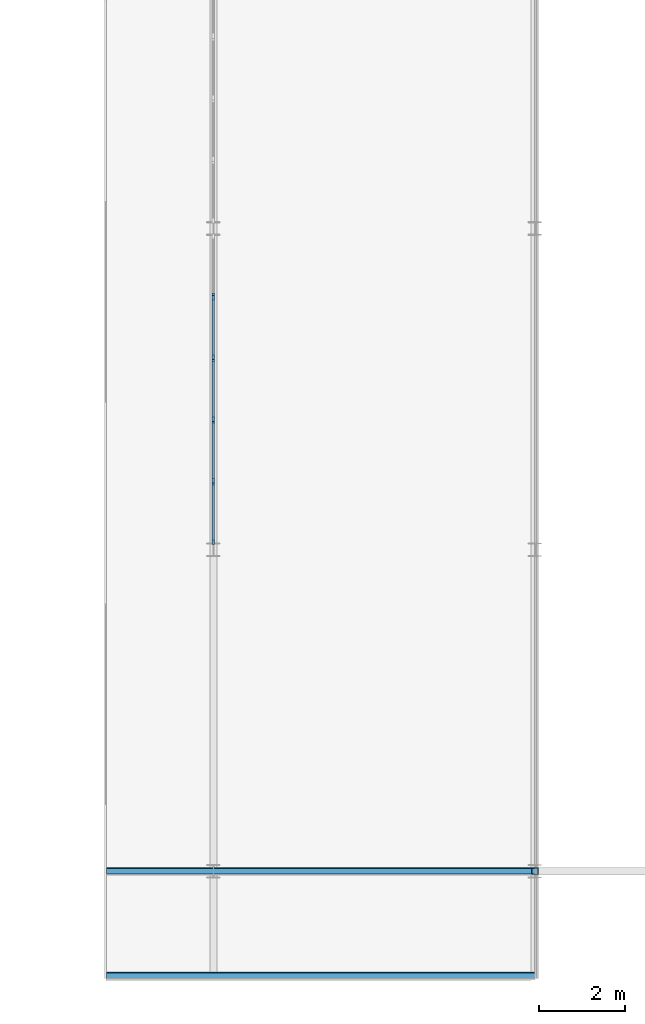
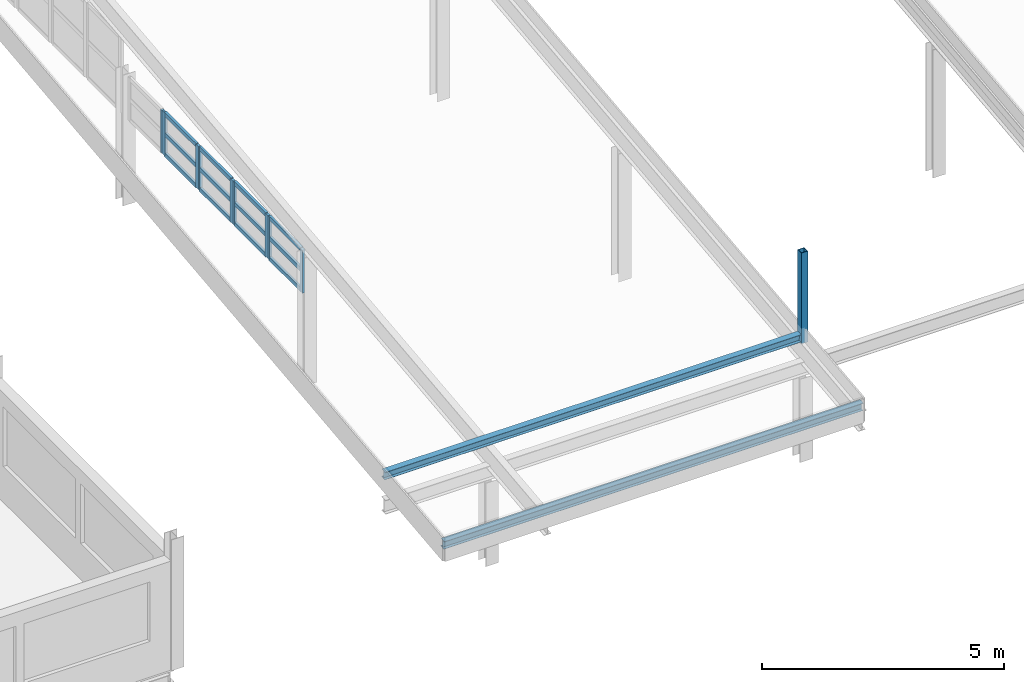
# One storey, part 32 of 199: 24 members, 5 elements without a shape of their own.
"""IFC4 building model written with IfcOpenShell, lengths in metres."""

from ifc_helpers import new_model, si_unit, direction, frame, origin, origin_2d, place, context, subcontext, project, spatial, rectangle, hollow_rectangle, i_section, extrude, material, material_profile, profile_set, type_object, element, aggregate, save


model = new_model("IFC4")

# Units and contexts
model_context = context("Model", 3, precision=1e-05, world=origin(), true_north=direction((0.0, 1.0)))
body_context = subcontext(model_context, "Body", "Model", "MODEL_VIEW")
ifc_project = project(units=[si_unit("LENGTHUNIT", "METRE"), si_unit("AREAUNIT", "SQUARE_METRE"), si_unit("VOLUMEUNIT", "CUBIC_METRE"), si_unit("PLANEANGLEUNIT", "RADIAN"), si_unit("MASSUNIT", "GRAM", prefix="KILO")], contexts=[model_context])

# Site, building, storey
site_placement = place(None, origin())
site = spatial("IfcSite", under=ifc_project, at=site_placement, CompositionType="ELEMENT")
building_placement = place(site_placement, origin())
building = spatial("IfcBuilding", under=site, at=building_placement, Name="Parallax Yard Mobility Hub", CompositionType="ELEMENT")
storey_placement = place(building_placement, frame((0.0, 0.0, 9.89990234375)))
storey = spatial("IfcBuildingStorey", under=building, at=storey_placement, Name="L03", CompositionType="ELEMENT", Elevation=9.89990234375)

# Member
ifc_material_1 = material(Name="Steel ASTM A500 Gr C", Category="steel")
ifc_material_profile_1 = material_profile(ifc_material_1, hollow_rectangle(XDim=0.15234375, YDim=0.15234375, WallThickness=0.009521484375, at=origin_2d()), Name="HSS152x152x9.5")
ifc_profile_set_1 = profile_set([ifc_material_profile_1], Name="Steel ASTM A500 Gr C")
member_type_1 = type_object("IfcMemberType", Name="Monitor post HSS152x152x9.5", PredefinedType="POST", material=ifc_profile_set_1)
member_1_placement = place(storey_placement, frame((157.5, 7.5, 2.91748046875), z_axis=(0.0, 0.0, 1.0), x_axis=(1.0, 0.0, 0.0)))
element("IfcMember", 1, at=member_1_placement, inside=storey, type_object=member_type_1, Name="Monitor post at x 157.5 y 7.5", PredefinedType="POST", context=body_context, shape_type="SweptSolid", body=[
    extrude(hollow_rectangle(XDim=0.15234375, YDim=0.15234375, WallThickness=0.009521484375, at=origin_2d()), origin(), (0.0, 0.0, 1.0), 2.295166015625),
])

# Curtain wall, members
ifc_material_2 = material(Name="Thermally broken aluminium curtain wall system", Category="aluminium")
curtain_wall_type = type_object("IfcCurtainWallType", Name="Clerestory glazing run 60 x 120 frame", PredefinedType="NOTDEFINED", material=ifc_material_2)
curtain_wall_1_placement = place(storey_placement, origin())
curtain_wall_1 = element("IfcCurtainWall", 2, at=curtain_wall_1_placement, inside=storey, type_object=curtain_wall_type, Name="Clerestory glazing run Bicycle and shared-mobility hall west bay 2 level L02", PredefinedType="NOTDEFINED")
ifc_material_3 = material(Name="Extruded aluminium", Category="aluminium")
ifc_material_profile_2 = material_profile(ifc_material_3, rectangle(XDim=0.06005859375, YDim=0.1201171875, at=origin_2d()), Name="Mullion 60 x 120")
ifc_profile_set_2 = profile_set([ifc_material_profile_2], Name="Extruded aluminium")
member_type_2 = type_object("IfcMemberType", Name="Mullion 60 x 120", PredefinedType="MULLION", material=ifc_profile_set_2)
member_2_placement = place(storey_placement, frame((150.0, 15.18359375, 2.140625), z_axis=(0.0, 0.0, 1.0), x_axis=(-1.0, 0.0, 0.0)))
member_2 = element("IfcMember", 3, at=member_2_placement, type_object=member_type_2, Name="CW4 mullion 1", PredefinedType="MULLION", context=body_context, shape_type="SweptSolid", body=[
    extrude(rectangle(XDim=0.06005859375, YDim=0.1201171875, at=origin_2d()), origin(), (0.0, 0.0, 1.0), 1.08447265625),
])
member_3_placement = place(storey_placement, frame((150.0, 16.56201171875, 2.140625), z_axis=(0.0, 0.0, 1.0), x_axis=(-1.0, 0.0, 0.0)))
member_3 = element("IfcMember", 4, at=member_3_placement, type_object=member_type_2, Name="CW4 mullion 2", PredefinedType="MULLION", context=body_context, shape_type="SweptSolid", body=[
    extrude(rectangle(XDim=0.06005859375, YDim=0.1201171875, at=origin_2d()), origin(), (0.0, 0.0, 1.0), 1.08447265625),
])

curtain_wall_2_placement = place(storey_placement, origin())
curtain_wall_2 = element("IfcCurtainWall", 5, at=curtain_wall_2_placement, inside=storey, type_object=curtain_wall_type, Name="Clerestory glazing run Bicycle and shared-mobility hall west bay 2 level L02", PredefinedType="NOTDEFINED")
member_4_placement = place(storey_placement, frame((150.0, 16.6220703125, 2.140625), z_axis=(0.0, 0.0, 1.0), x_axis=(-1.0, 0.0, 0.0)))
member_4 = element("IfcMember", 6, at=member_4_placement, type_object=member_type_2, Name="CW4 mullion 1", PredefinedType="MULLION", context=body_context, shape_type="SweptSolid", body=[
    extrude(rectangle(XDim=0.06005859375, YDim=0.1201171875, at=origin_2d()), origin(), (0.0, 0.0, 1.0), 1.08447265625),
])
member_5_placement = place(storey_placement, frame((150.0, 18.000732421875, 2.140625), z_axis=(0.0, 0.0, 1.0), x_axis=(-1.0, 0.0, 0.0)))
member_5 = element("IfcMember", 7, at=member_5_placement, type_object=member_type_2, Name="CW4 mullion 2", PredefinedType="MULLION", context=body_context, shape_type="SweptSolid", body=[
    extrude(rectangle(XDim=0.06005859375, YDim=0.1201171875, at=origin_2d()), origin(), (0.0, 0.0, 1.0), 1.08447265625),
])

curtain_wall_3_placement = place(storey_placement, origin())
curtain_wall_3 = element("IfcCurtainWall", 8, at=curtain_wall_3_placement, inside=storey, type_object=curtain_wall_type, Name="Clerestory glazing run Bicycle and shared-mobility hall west bay 2 level L02", PredefinedType="NOTDEFINED")
member_6_placement = place(storey_placement, frame((150.0, 18.060791015625, 2.140625), z_axis=(0.0, 0.0, 1.0), x_axis=(-1.0, 0.0, 0.0)))
member_6 = element("IfcMember", 9, at=member_6_placement, type_object=member_type_2, Name="CW4 mullion 1", PredefinedType="MULLION", context=body_context, shape_type="SweptSolid", body=[
    extrude(rectangle(XDim=0.06005859375, YDim=0.1201171875, at=origin_2d()), origin(), (0.0, 0.0, 1.0), 1.08447265625),
])
member_7_placement = place(storey_placement, frame((150.0, 19.439208984375, 2.140625), z_axis=(0.0, 0.0, 1.0), x_axis=(-1.0, 0.0, 0.0)))
member_7 = element("IfcMember", 10, at=member_7_placement, type_object=member_type_2, Name="CW4 mullion 2", PredefinedType="MULLION", context=body_context, shape_type="SweptSolid", body=[
    extrude(rectangle(XDim=0.06005859375, YDim=0.1201171875, at=origin_2d()), origin(), (0.0, 0.0, 1.0), 1.08447265625),
])

curtain_wall_4_placement = place(storey_placement, origin())
curtain_wall_4 = element("IfcCurtainWall", 11, at=curtain_wall_4_placement, inside=storey, type_object=curtain_wall_type, Name="Clerestory glazing run Bicycle and shared-mobility hall west bay 2 level L02", PredefinedType="NOTDEFINED")
member_8_placement = place(storey_placement, frame((150.0, 19.499267578125, 2.140625), z_axis=(0.0, 0.0, 1.0), x_axis=(-1.0, 0.0, 0.0)))
member_8 = element("IfcMember", 12, at=member_8_placement, type_object=member_type_2, Name="CW4 mullion 1", PredefinedType="MULLION", context=body_context, shape_type="SweptSolid", body=[
    extrude(rectangle(XDim=0.06005859375, YDim=0.1201171875, at=origin_2d()), origin(), (0.0, 0.0, 1.0), 1.08447265625),
])
member_9_placement = place(storey_placement, frame((150.0, 20.8779296875, 2.140625), z_axis=(0.0, 0.0, 1.0), x_axis=(-1.0, 0.0, 0.0)))
member_9 = element("IfcMember", 13, at=member_9_placement, type_object=member_type_2, Name="CW4 mullion 2", PredefinedType="MULLION", context=body_context, shape_type="SweptSolid", body=[
    extrude(rectangle(XDim=0.06005859375, YDim=0.1201171875, at=origin_2d()), origin(), (0.0, 0.0, 1.0), 1.08447265625),
])

# Curtain wall, member
curtain_wall_5_placement = place(storey_placement, origin())
curtain_wall_5 = element("IfcCurtainWall", 14, at=curtain_wall_5_placement, inside=storey, type_object=curtain_wall_type, Name="Clerestory glazing run Bicycle and shared-mobility hall west bay 2 level L02", PredefinedType="NOTDEFINED")
member_10_placement = place(storey_placement, frame((150.0, 20.93798828125, 2.140625), z_axis=(0.0, 0.0, 1.0), x_axis=(-1.0, 0.0, 0.0)))
member_10 = element("IfcMember", 15, at=member_10_placement, type_object=member_type_2, Name="CW4 mullion 1", PredefinedType="MULLION", context=body_context, shape_type="SweptSolid", body=[
    extrude(rectangle(XDim=0.06005859375, YDim=0.1201171875, at=origin_2d()), origin(), (0.0, 0.0, 1.0), 1.08447265625),
])
aggregate(curtain_wall_5, [member_10])

# Members
ifc_material_4 = material(Name="Steel ASTM A992", Category="steel")
ifc_material_profile_3 = material_profile(ifc_material_4, i_section(OverallWidth=0.133056640625, OverallDepth=0.20703125, WebThickness=0.005859375, FlangeThickness=0.00830078125, at=origin_2d()), Name="W200x27")
ifc_profile_set_3 = profile_set([ifc_material_profile_3], Name="Steel ASTM A992")
member_type_3 = type_object("IfcMemberType", Name="Roof purlin W200x27", PredefinedType="PURLIN", material=ifc_profile_set_3)
for number, where, z_axis, x_axis, name in (
    (16, (147.5, 5.0712890625, 2.78173828125), (1.0, 0.0, 0.0), (0.0, 0.993883718765, 0.110431669255), "Roof purlin west of the monitor at y 5.06"),
    (17, (147.5, 7.511474609375, 3.052734375), (1.0, 0.0, 0.0), (0.0, 0.993883718765, 0.110431669255), "Roof purlin west of the monitor at y 7.5"),
):
    element("IfcMember", number, at=place(storey_placement, frame(where, z_axis=z_axis, x_axis=x_axis)), inside=storey, type_object=member_type_3, Name=name, PredefinedType="PURLIN", context=body_context, shape_type="SweptSolid", body=[
        extrude(i_section(OverallWidth=0.133056640625, OverallDepth=0.20703125, WebThickness=0.005859375, FlangeThickness=0.00830078125, at=origin_2d()), origin(), (0.0, 0.0, 1.0), 10.0),
    ])

# Member
ifc_material_profile_4 = material_profile(ifc_material_3, rectangle(XDim=0.06005859375, YDim=0.10009765625, at=origin_2d()), Name="Transom 60 x 100")
ifc_profile_set_4 = profile_set([ifc_material_profile_4], Name="Extruded aluminium")
member_type_4 = type_object("IfcMemberType", Name="Transom 60 x 100", PredefinedType="USERDEFINED", material=ifc_profile_set_4)
member_11_placement = place(storey_placement, frame((150.0, 15.21337890625, 2.170654296875), z_axis=(0.0, 1.0, 0.0), x_axis=(-1.0, 0.0, 0.0)))
member_11 = element("IfcMember", 18, at=member_11_placement, type_object=member_type_4, Name="CW4 transom 1.1", ObjectType="TRANSOM", PredefinedType="USERDEFINED", context=body_context, shape_type="SweptSolid", body=[
    extrude(rectangle(XDim=0.06005859375, YDim=0.10009765625, at=origin_2d()), origin(), (0.0, 0.0, 1.0), 1.318603515625),
])

member_12_placement = place(storey_placement, frame((150.0, 15.21337890625, 2.682861328125), z_axis=(0.0, 1.0, 0.0), x_axis=(-1.0, 0.0, 0.0)))
member_12 = element("IfcMember", 19, at=member_12_placement, type_object=member_type_4, Name="CW4 transom 1.2", ObjectType="TRANSOM", PredefinedType="USERDEFINED", context=body_context, shape_type="SweptSolid", body=[
    extrude(rectangle(XDim=0.06005859375, YDim=0.10009765625, at=origin_2d()), origin(), (0.0, 0.0, 1.0), 1.318603515625),
])

member_13_placement = place(storey_placement, frame((150.0, 15.21337890625, 3.195068359375), z_axis=(0.0, 1.0, 0.0), x_axis=(-1.0, 0.0, 0.0)))
member_13 = element("IfcMember", 20, at=member_13_placement, type_object=member_type_4, Name="CW4 transom 1.3", ObjectType="TRANSOM", PredefinedType="USERDEFINED", context=body_context, shape_type="SweptSolid", body=[
    extrude(rectangle(XDim=0.06005859375, YDim=0.10009765625, at=origin_2d()), origin(), (0.0, 0.0, 1.0), 1.318603515625),
])

aggregate(curtain_wall_1, [member_2, member_3, member_11, member_12, member_13])

member_14_placement = place(storey_placement, frame((150.0, 16.652099609375, 2.170654296875), z_axis=(0.0, 1.0, 0.0), x_axis=(-1.0, 0.0, 0.0)))
member_14 = element("IfcMember", 21, at=member_14_placement, type_object=member_type_4, Name="CW4 transom 1.1", ObjectType="TRANSOM", PredefinedType="USERDEFINED", context=body_context, shape_type="SweptSolid", body=[
    extrude(rectangle(XDim=0.06005859375, YDim=0.10009765625, at=origin_2d()), origin(), (0.0, 0.0, 1.0), 1.318603515625),
])

member_15_placement = place(storey_placement, frame((150.0, 16.652099609375, 2.682861328125), z_axis=(0.0, 1.0, 0.0), x_axis=(-1.0, 0.0, 0.0)))
member_15 = element("IfcMember", 22, at=member_15_placement, type_object=member_type_4, Name="CW4 transom 1.2", ObjectType="TRANSOM", PredefinedType="USERDEFINED", context=body_context, shape_type="SweptSolid", body=[
    extrude(rectangle(XDim=0.06005859375, YDim=0.10009765625, at=origin_2d()), origin(), (0.0, 0.0, 1.0), 1.318603515625),
])

member_16_placement = place(storey_placement, frame((150.0, 16.652099609375, 3.195068359375), z_axis=(0.0, 1.0, 0.0), x_axis=(-1.0, 0.0, 0.0)))
member_16 = element("IfcMember", 23, at=member_16_placement, type_object=member_type_4, Name="CW4 transom 1.3", ObjectType="TRANSOM", PredefinedType="USERDEFINED", context=body_context, shape_type="SweptSolid", body=[
    extrude(rectangle(XDim=0.06005859375, YDim=0.10009765625, at=origin_2d()), origin(), (0.0, 0.0, 1.0), 1.318603515625),
])

aggregate(curtain_wall_2, [member_4, member_5, member_14, member_15, member_16])

member_17_placement = place(storey_placement, frame((150.0, 18.0908203125, 2.170654296875), z_axis=(0.0, 1.0, 0.0), x_axis=(-1.0, 0.0, 0.0)))
member_17 = element("IfcMember", 24, at=member_17_placement, type_object=member_type_4, Name="CW4 transom 1.1", ObjectType="TRANSOM", PredefinedType="USERDEFINED", context=body_context, shape_type="SweptSolid", body=[
    extrude(rectangle(XDim=0.06005859375, YDim=0.10009765625, at=origin_2d()), origin(), (0.0, 0.0, 1.0), 1.318359375),
])

member_18_placement = place(storey_placement, frame((150.0, 18.0908203125, 2.682861328125), z_axis=(0.0, 1.0, 0.0), x_axis=(-1.0, 0.0, 0.0)))
member_18 = element("IfcMember", 25, at=member_18_placement, type_object=member_type_4, Name="CW4 transom 1.2", ObjectType="TRANSOM", PredefinedType="USERDEFINED", context=body_context, shape_type="SweptSolid", body=[
    extrude(rectangle(XDim=0.06005859375, YDim=0.10009765625, at=origin_2d()), origin(), (0.0, 0.0, 1.0), 1.318359375),
])

member_19_placement = place(storey_placement, frame((150.0, 18.0908203125, 3.195068359375), z_axis=(0.0, 1.0, 0.0), x_axis=(-1.0, 0.0, 0.0)))
member_19 = element("IfcMember", 26, at=member_19_placement, type_object=member_type_4, Name="CW4 transom 1.3", ObjectType="TRANSOM", PredefinedType="USERDEFINED", context=body_context, shape_type="SweptSolid", body=[
    extrude(rectangle(XDim=0.06005859375, YDim=0.10009765625, at=origin_2d()), origin(), (0.0, 0.0, 1.0), 1.318359375),
])

aggregate(curtain_wall_3, [member_6, member_7, member_17, member_18, member_19])

member_20_placement = place(storey_placement, frame((150.0, 19.529296875, 2.170654296875), z_axis=(0.0, 1.0, 0.0), x_axis=(-1.0, 0.0, 0.0)))
member_20 = element("IfcMember", 27, at=member_20_placement, type_object=member_type_4, Name="CW4 transom 1.1", ObjectType="TRANSOM", PredefinedType="USERDEFINED", context=body_context, shape_type="SweptSolid", body=[
    extrude(rectangle(XDim=0.06005859375, YDim=0.10009765625, at=origin_2d()), origin(), (0.0, 0.0, 1.0), 1.318603515625),
])

member_21_placement = place(storey_placement, frame((150.0, 19.529296875, 2.682861328125), z_axis=(0.0, 1.0, 0.0), x_axis=(-1.0, 0.0, 0.0)))
member_21 = element("IfcMember", 28, at=member_21_placement, type_object=member_type_4, Name="CW4 transom 1.2", ObjectType="TRANSOM", PredefinedType="USERDEFINED", context=body_context, shape_type="SweptSolid", body=[
    extrude(rectangle(XDim=0.06005859375, YDim=0.10009765625, at=origin_2d()), origin(), (0.0, 0.0, 1.0), 1.318603515625),
])

member_22_placement = place(storey_placement, frame((150.0, 19.529296875, 3.195068359375), z_axis=(0.0, 1.0, 0.0), x_axis=(-1.0, 0.0, 0.0)))
member_22 = element("IfcMember", 29, at=member_22_placement, type_object=member_type_4, Name="CW4 transom 1.3", ObjectType="TRANSOM", PredefinedType="USERDEFINED", context=body_context, shape_type="SweptSolid", body=[
    extrude(rectangle(XDim=0.06005859375, YDim=0.10009765625, at=origin_2d()), origin(), (0.0, 0.0, 1.0), 1.318603515625),
])

aggregate(curtain_wall_4, [member_8, member_9, member_20, member_21, member_22])

save(model, "model.ifc")
